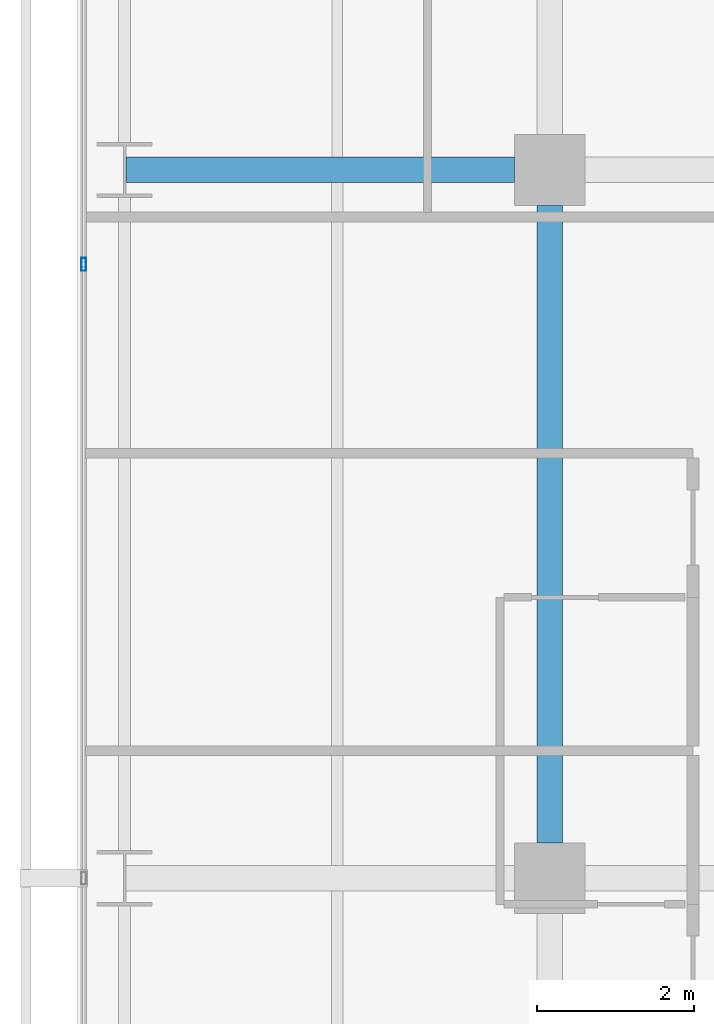
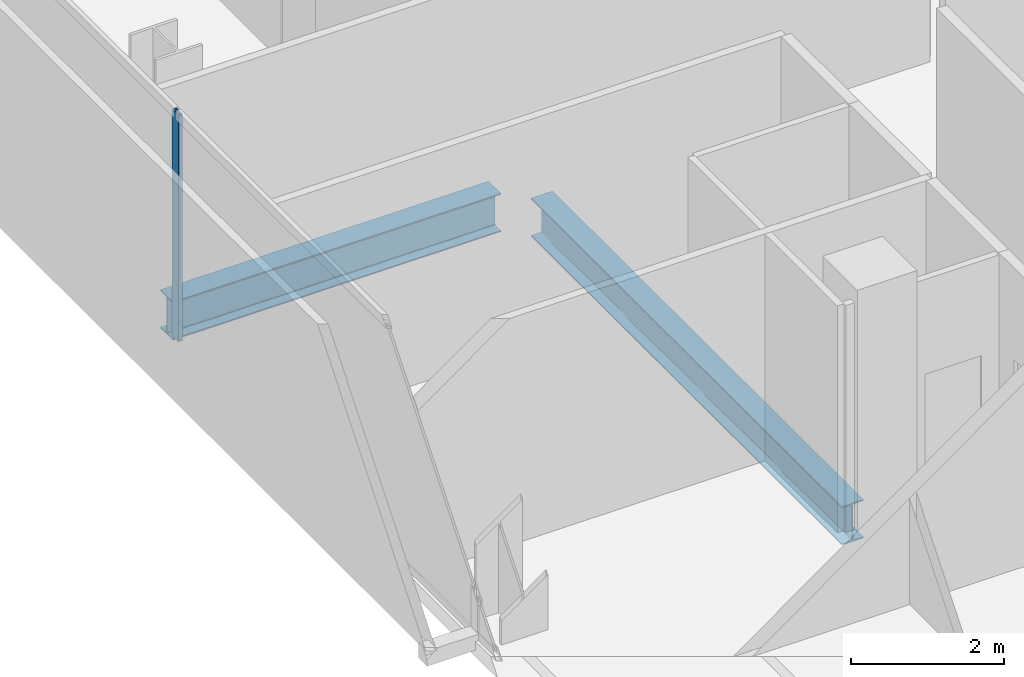
# One storey, part 21 of 40: 2 beams, 1 member, 1 element without a shape of its own.
"""IFC4 building model written with IfcOpenShell, lengths in metres."""

import ifcopenshell
import ifcopenshell.guid

model = None  # the IFC model being written
_history = None  # IfcOwnerHistory: only IFC2X3 demands one
_inside = {}  # id of a spatial element -> (the spatial element, [elements in it])
_under = {}  # id of a project, library or spatial element -> (it, [spatial elements below it])
_declared = {}  # id of a project -> (the project, [libraries it declares])
_typed = {}  # id of a type object -> (the type object, [elements of that type])
_made_of = {}  # id of a material, layer set ... -> (it, [elements and type objects made of it])


def new_model(schema):
    """Start an empty IFC model of exactly this schema.

    Asked for "IFC4X3", IfcOpenShell would pick the latest addendum, in which some entities
    have other attributes; the version numbers below select the first issue.
    IFC2X3 requires an IfcOwnerHistory on every rooted entity: one is made here for all.
    """
    global model, _history
    if schema == "IFC4X3":
        model = ifcopenshell.file(schema_version=(4, 3, 0, 0))
    else:
        model = ifcopenshell.file(schema=schema)
    _inside.clear()
    _under.clear()
    _declared.clear()
    _typed.clear()
    _made_of.clear()
    _history = None
    if model.schema == "IFC2X3":
        org = make("IfcOrganization", Name="unknown")
        user = make(
            "IfcPersonAndOrganization",
            ThePerson=make("IfcPerson", FamilyName="unknown"),
            TheOrganization=org,
        )
        app = make(
            "IfcApplication",
            ApplicationDeveloper=org,
            Version="unknown",
            ApplicationFullName="unknown",
            ApplicationIdentifier="unknown",
        )
        _history = make(
            "IfcOwnerHistory",
            OwningUser=user,
            OwningApplication=app,
            ChangeAction="ADDED",
            CreationDate=0,
        )
    return model


def make(cls, **values):
    """One entity of the class cls with the attributes given. An attribute that is None is left unset."""
    return model.create_entity(
        cls, **{name: value for name, value in values.items() if value is not None}
    )


def rooted(cls, **values):
    """An entity with a GlobalId (a new one), such as an element, a storey or a relation."""
    return make(cls, GlobalId=ifcopenshell.guid.new(), OwnerHistory=_history, **values)


def si_unit(unit_type, name, prefix=None):
    """IfcSIUnit, for example si_unit("LENGTHUNIT", "METRE", prefix="MILLI")."""
    return make("IfcSIUnit", UnitType=unit_type, Prefix=prefix, Name=name)


def assignment(units):
    """IfcUnitAssignment: the units of a project."""
    return None if units is None else make("IfcUnitAssignment", Units=units)


def point(xyz):
    """IfcCartesianPoint."""
    return None if xyz is None else make("IfcCartesianPoint", Coordinates=xyz)


def direction(xyz):
    """IfcDirection."""
    return None if xyz is None else make("IfcDirection", DirectionRatios=xyz)


def frame(location, z_axis=None, x_axis=None):
    """IfcAxis2Placement3D, a coordinate frame: its origin and axes. An axis left out is left unset."""
    return make(
        "IfcAxis2Placement3D",
        Location=point(location),
        Axis=direction(z_axis),
        RefDirection=direction(x_axis),
    )


def frame_2d(location, x_axis=None):
    """IfcAxis2Placement2D, a coordinate frame in the plane: its origin and x axis."""
    return make(
        "IfcAxis2Placement2D", Location=point(location), RefDirection=direction(x_axis)
    )


def origin():
    """The frame at (0, 0, 0) with its axes left unset."""
    return frame((0.0, 0.0, 0.0))


def origin_2d():
    """The frame at (0, 0) in the plane with its x axis left unset."""
    return frame_2d((0.0, 0.0))


def place(relative_to, where):
    """IfcLocalPlacement: puts the frame where relative to a parent placement (None: the world)."""
    return make(
        "IfcLocalPlacement", PlacementRelTo=relative_to, RelativePlacement=where
    )


def context(
    kind, dimensions, precision=None, world=None, true_north=None, identifier=None
):
    """IfcGeometricRepresentationContext, for example the 3D "Model" context."""
    return make(
        "IfcGeometricRepresentationContext",
        ContextIdentifier=identifier,
        ContextType=kind,
        CoordinateSpaceDimension=dimensions,
        Precision=precision,
        WorldCoordinateSystem=world,
        TrueNorth=true_north,
    )


def subcontext(parent, identifier, kind, view, scale=None):
    """IfcGeometricRepresentationSubContext, for example "Body" below "Model"."""
    return make(
        "IfcGeometricRepresentationSubContext",
        ContextIdentifier=identifier,
        ContextType=kind,
        ParentContext=parent,
        TargetScale=scale,
        TargetView=view,
    )


def project(units=None, contexts=None):
    """IfcProject with its units and contexts."""
    return rooted(
        "IfcProject",
        Name="project",
        RepresentationContexts=contexts,
        UnitsInContext=assignment(units),
    )


def spatial(cls, under=None, at=None, **own):
    """A site, building, storey or space (cls), placed at a placement, below another one or the project."""
    s = rooted(cls, ObjectPlacement=at, **own)
    if under is not None:
        _under.setdefault(under.id(), (under, []))[1].append(s)
    return s


def profile(cls, at=None, kind="AREA", **sizes):
    """A parametric profile (cls). Its sizes go by their IFC names, for example OverallWidth=200.0."""
    return make(cls, ProfileType=kind, Position=at, **sizes)


def hollow_rectangle(**sizes):
    """IfcRectangleHollowProfileDef."""
    return profile("IfcRectangleHollowProfileDef", **sizes)


def i_section(**sizes):
    """IfcIShapeProfileDef."""
    return profile("IfcIShapeProfileDef", **sizes)


def extrude(swept, where, along, depth):
    """IfcExtrudedAreaSolid: the profile swept, set in the frame where, extruded along a direction by depth."""
    return make(
        "IfcExtrudedAreaSolid",
        SweptArea=swept,
        Position=where,
        ExtrudedDirection=direction(along),
        Depth=depth,
    )


def shape(context_of_items, identifier, shape_type, items):
    """IfcShapeRepresentation: the items that make up one representation, for example the "Body"."""
    return make(
        "IfcShapeRepresentation",
        ContextOfItems=context_of_items,
        RepresentationIdentifier=identifier,
        RepresentationType=shape_type,
        Items=items,
    )


def material(Name=None, Category=None):
    """IfcMaterial."""
    return make("IfcMaterial", Name=Name, Category=Category)


def layer(
    of_material, thickness, ventilated=None, Name=None, Category=None, Priority=None
):
    """IfcMaterialLayer: one layer of a wall or slab, of a material (None: an air gap)."""
    return make(
        "IfcMaterialLayer",
        Material=of_material,
        LayerThickness=thickness,
        IsVentilated=ventilated,
        Name=Name,
        Category=Category,
        Priority=Priority,
    )


def layer_set(layers, Name=None):
    """IfcMaterialLayerSet."""
    return make("IfcMaterialLayerSet", MaterialLayers=layers, LayerSetName=Name)


def material_profile(
    of_material, cross_section, Name=None, Category=None, Priority=None
):
    """IfcMaterialProfile: a cross section and its material."""
    return make(
        "IfcMaterialProfile",
        Name=Name,
        Material=of_material,
        Profile=cross_section,
        Priority=Priority,
        Category=Category,
    )


def profile_set(profiles, Name=None, composite=None):
    """IfcMaterialProfileSet."""
    return make(
        "IfcMaterialProfileSet",
        Name=Name,
        MaterialProfiles=profiles,
        CompositeProfile=composite,
    )


def made_of(thing, what):
    """Note that an element or type object is made of a material, layer set ...; save() writes the relation."""
    if what is not None:
        _made_of.setdefault(what.id(), (what, []))[1].append(thing)
    return thing


def type_object(cls, material=None, **own):
    """A type object (cls), such as IfcWallType, which elements share."""
    return made_of(rooted(cls, **own), material)


def element(
    cls,
    number,
    at=None,
    inside=None,
    cuts=None,
    type_object=None,
    material=None,
    context=None,
    identifier="Body",
    shape_type=None,
    held_by="IfcProductDefinitionShape",
    body=None,
    shapes=None,
    **own,
):
    """One element of the class cls, such as IfcWall. Its Tag is "e" and its number.

    at: its placement. inside: the storey or other place that contains it. cuts: it is an
    opening in that element (IfcRelVoidsElement). A single representation is given by context,
    identifier, shape_type and body (its items); several are given by shapes. held_by: the class
    of the entity that holds the representations. save() writes the other relations.
    """
    e = rooted(cls, Tag="e%d" % number, ObjectPlacement=at, **own)
    if body is not None:
        shapes = [shape(context, identifier, shape_type, body)]
    if shapes is not None:
        e.Representation = make(held_by, Representations=shapes)
    if inside is not None:
        _inside.setdefault(inside.id(), (inside, []))[1].append(e)
    if cuts is not None:
        rooted(
            "IfcRelVoidsElement", RelatingBuildingElement=cuts, RelatedOpeningElement=e
        )
    if type_object is not None:
        _typed.setdefault(type_object.id(), (type_object, []))[1].append(e)
    return made_of(e, material)


def aggregate(whole, parts):
    """IfcRelAggregates: a whole, such as a stair, and the parts it consists of."""
    return rooted("IfcRelAggregates", RelatingObject=whole, RelatedObjects=parts)


def save(model, path):
    """Write the relations noted so far, then the file.

    IfcRelAggregates (storeys below a building ...), IfcRelContainedInSpatialStructure (elements
    in a storey), IfcRelDefinesByType, IfcRelAssociatesMaterial and IfcRelDeclares: one each for
    every whole, place, type object, material and project.
    """
    for whole, parts in _under.values():
        aggregate(whole, parts)
    for where, things in _inside.values():
        rooted(
            "IfcRelContainedInSpatialStructure",
            RelatedElements=things,
            RelatingStructure=where,
        )
    for kind, things in _typed.values():
        rooted("IfcRelDefinesByType", RelatedObjects=things, RelatingType=kind)
    for what, things in _made_of.values():
        rooted("IfcRelAssociatesMaterial", RelatedObjects=things, RelatingMaterial=what)
    for by, libraries in _declared.values():
        rooted("IfcRelDeclares", RelatingContext=by, RelatedDefinitions=libraries)
    model.write(path)


model = new_model("IFC4")

# Units and contexts
model_context = context("Model", 3, precision=1e-05, world=origin(), true_north=direction((0.0, 1.0)))
body_context = subcontext(model_context, "Body", "Model", "MODEL_VIEW")
ifc_project = project(units=[si_unit("LENGTHUNIT", "METRE"), si_unit("AREAUNIT", "SQUARE_METRE"), si_unit("VOLUMEUNIT", "CUBIC_METRE"), si_unit("PLANEANGLEUNIT", "RADIAN"), si_unit("MASSUNIT", "GRAM", prefix="KILO")], contexts=[model_context])

# Site, building, storey
site_placement = place(None, origin())
site = spatial("IfcSite", under=ifc_project, at=site_placement, CompositionType="ELEMENT")
building_placement = place(site_placement, origin())
building = spatial("IfcBuilding", under=site, at=building_placement, Name="Maruvema Waterfront Hotel and Observation Tower", CompositionType="ELEMENT")
storey_placement = place(building_placement, frame((0.0, 0.0, 100.10009765625)))
storey = spatial("IfcBuildingStorey", under=building, at=storey_placement, Name="L24", CompositionType="ELEMENT", Elevation=100.10009765625)

# Curtain wall, member
ifc_material_1 = material(Name="Anodised bronze aluminium and solar-control low-E IGU", Category="aluminium")
ifc_layer = layer(ifc_material_1, 0.159912109375, Name="Zone 1 Bronze Inner Thermal Curtain Wall System CW-02")
ifc_layer_set = layer_set([ifc_layer], Name="Anodised bronze aluminium and solar-control low-E IGU")
curtain_wall_type = type_object("IfcCurtainWallType", Name="Zone 1 Bronze Inner Thermal Curtain Wall System CW-02", PredefinedType="USERDEFINED", material=ifc_layer_set)
curtain_wall_placement = place(storey_placement, origin())
curtain_wall = element("IfcCurtainWall", 1, at=curtain_wall_placement, inside=storey, type_object=curtain_wall_type, Name="L24 Curtain Wall CW-L24-W", ObjectType="UNITISED CURTAIN WALL", PredefinedType="USERDEFINED")
ifc_material_2 = material(Name="Anodised architectural bronze aluminium", Category="aluminium")
ifc_material_profile_1 = material_profile(ifc_material_2, hollow_rectangle(XDim=0.06494140625, YDim=0.1650390625, WallThickness=0.00390625, at=origin_2d()), Name="ALU-M65x165")
ifc_profile_set_1 = profile_set([ifc_material_profile_1], Name="Anodised architectural bronze aluminium")
member_type = type_object("IfcMemberType", Name="Curtain Wall Primary Mullion ALU-M65x165", PredefinedType="MULLION", material=ifc_profile_set_1)
member_placement = place(storey_placement, frame((10.8798828125, 34.800048828125, 0.0), z_axis=(0.0, 0.0, 1.0), x_axis=(1.0, 0.0, 0.0)))
member = element("IfcMember", 2, at=member_placement, type_object=member_type, Name="CW-02 mullion 3", PredefinedType="MULLION", context=body_context, shape_type="SweptSolid", body=[
    extrude(hollow_rectangle(XDim=0.06494140625, YDim=0.1650390625, WallThickness=0.00390625, at=origin_2d()), origin(), (0.0, 0.0, 1.0), 3.60986328125),
])
aggregate(curtain_wall, [member])

# Beams
ifc_material_3 = material(Name="Steel ASTM A572 Grade 50", Category="steel")
ifc_material_profile_2 = material_profile(ifc_material_3, i_section(OverallWidth=0.323974609375, OverallDepth=0.611083984375, WebThickness=0.0126953125, FlangeThickness=0.01904296875, FilletRadius=0.01806640625, at=origin_2d()), Name="W610x155.0")
ifc_profile_set_2 = profile_set([ifc_material_profile_2], Name="Steel ASTM A572 Grade 50")
beam_type = type_object("IfcBeamType", Name="Primary Floor Girder W610x155.0", PredefinedType="BEAM", material=ifc_profile_set_2)
beam_1_placement = place(storey_placement, frame((11.4140625, 36.0, -0.545654296875), z_axis=(1.0, 0.0, 0.0), x_axis=(0.0, 1.0, 0.0)))
element("IfcBeam", 3, at=beam_1_placement, inside=storey, type_object=beam_type, Name="L24 Floor Girder EW-25", PredefinedType="BEAM", context=body_context, shape_type="SweptSolid", body=[
    extrude(i_section(OverallWidth=0.323974609375, OverallDepth=0.611083984375, WebThickness=0.0126953125, FlangeThickness=0.01904296875, FilletRadius=0.01806640625, at=origin_2d()), origin(), (0.0, 0.0, 1.0), 4.93603515625),
])
beam_2_placement = place(storey_placement, frame((16.800048828125, 27.449951171875, -0.545654296875), z_axis=(0.0, 1.0, 0.0), x_axis=(-1.0, 0.0, 0.0)))
element("IfcBeam", 4, at=beam_2_placement, inside=storey, type_object=beam_type, Name="L24 Floor Girder NS-08", PredefinedType="BEAM", context=body_context, shape_type="SweptSolid", body=[
    extrude(i_section(OverallWidth=0.323974609375, OverallDepth=0.611083984375, WebThickness=0.0126953125, FlangeThickness=0.01904296875, FilletRadius=0.01806640625, at=origin_2d()), origin(), (0.0, 0.0, 1.0), 8.10009765625),
])

save(model, "model.ifc")
